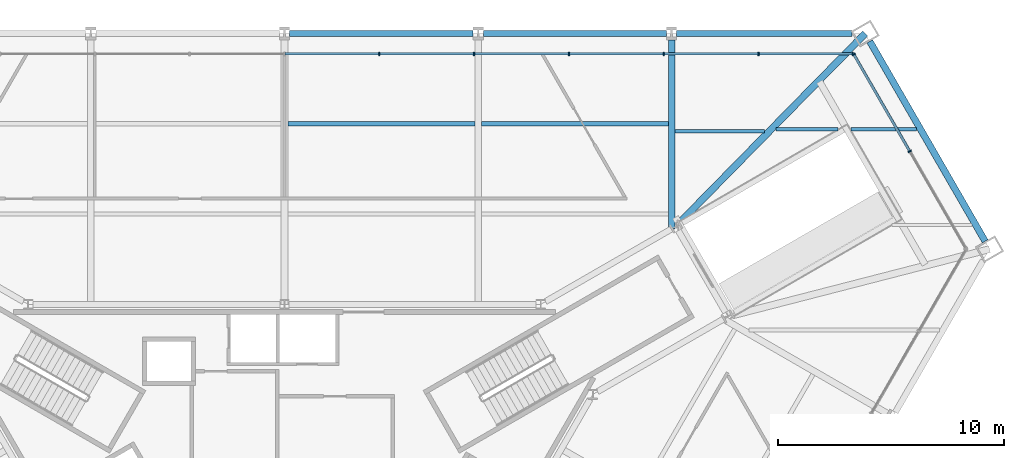
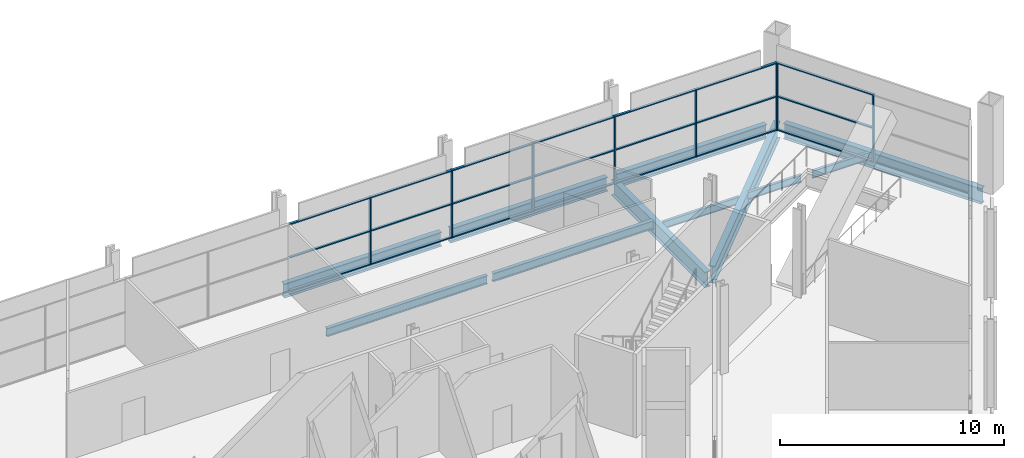
# One storey, part 10 of 18: 29 members, 11 beams, 2 elements without a shape of their own.
"""IFC4 building model written with IfcOpenShell, lengths in metres."""

from ifc_helpers import new_model, si_unit, direction, frame, origin, origin_2d, place, context, subcontext, project, spatial, rectangle, i_section, extrude, material, layer, layer_set, material_profile, profile_set, type_object, element, aggregate, save


model = new_model("IFC4")

# Units and contexts
model_context = context("Model", 3, precision=1e-05, world=origin(), true_north=direction((0.0, 1.0)))
body_context = subcontext(model_context, "Body", "Model", "MODEL_VIEW")
ifc_project = project(units=[si_unit("LENGTHUNIT", "METRE"), si_unit("AREAUNIT", "SQUARE_METRE"), si_unit("VOLUMEUNIT", "CUBIC_METRE"), si_unit("PLANEANGLEUNIT", "RADIAN"), si_unit("MASSUNIT", "GRAM", prefix="KILO")], contexts=[model_context])

# Site, building, storey
site_placement = place(None, origin())
site = spatial("IfcSite", under=ifc_project, at=site_placement, CompositionType="ELEMENT")
building_placement = place(site_placement, origin())
building = spatial("IfcBuilding", under=site, at=building_placement, Name="Verrane Prism Tower", CompositionType="ELEMENT")
storey_placement = place(building_placement, frame((0.0, 0.0, 22.39990234375)))
storey = spatial("IfcBuildingStorey", under=building, at=storey_placement, Name="L03", CompositionType="ELEMENT", Elevation=22.39990234375)

# Curtain wall, members
ifc_material_1 = material(Name="Aluminium and glass curtain wall", Category="aluminium")
ifc_layer = layer(ifc_material_1, 0.199951171875)
ifc_layer_set = layer_set([ifc_layer], Name="CWB-1 retail curtain wall")
curtain_wall_type = type_object("IfcCurtainWallType", Name="CWB-1 retail curtain wall", PredefinedType="NOTDEFINED", material=ifc_layer_set)
curtain_wall_1_placement = place(storey_placement, origin())
curtain_wall_1 = element("IfcCurtainWall", 1, at=curtain_wall_1_placement, inside=storey, type_object=curtain_wall_type, Name="Retail curtain wall L03 1", PredefinedType="NOTDEFINED")
ifc_material_2 = material(Name="Aluminium", Category="aluminium")
ifc_material_profile_1 = material_profile(ifc_material_2, rectangle(XDim=0.159912109375, YDim=0.06005859375, at=origin_2d()), Name="CWB-M 60x160 mullion")
ifc_profile_set_1 = profile_set([ifc_material_profile_1], Name="Aluminium")
member_type_1 = type_object("IfcMemberType", Name="CWB-M 60x160 mullion", PredefinedType="MULLION", material=ifc_profile_set_1)
member_1_placement = place(storey_placement, frame((27.63818359375, 15.956787109375, 0.0), z_axis=(0.0, 0.0, 1.0), x_axis=(-0.866025871, -0.499999190758, 0.0)))
member_1 = element("IfcMember", 2, at=member_1_placement, type_object=member_type_1, Name="CWB31 mullion 2", PredefinedType="MULLION", context=body_context, shape_type="SweptSolid", body=[
    extrude(rectangle(XDim=0.159912109375, YDim=0.06005859375, at=origin_2d()), origin(), (0.0, 0.0, 1.0), 3.690185546875),
])
member_2_placement = place(storey_placement, frame((25.162841796875, 20.244140625, 0.0), z_axis=(0.0, 0.0, 1.0), x_axis=(-0.866025871, -0.499999190758, 0.0)))
member_2 = element("IfcMember", 3, at=member_2_placement, type_object=member_type_1, Name="CWB31 mullion 3", PredefinedType="MULLION", context=body_context, shape_type="SweptSolid", body=[
    extrude(rectangle(XDim=0.159912109375, YDim=0.06005859375, at=origin_2d()), origin(), (0.0, 0.0, 1.0), 3.690185546875),
])

curtain_wall_2_placement = place(storey_placement, origin())
curtain_wall_2 = element("IfcCurtainWall", 4, at=curtain_wall_2_placement, inside=storey, type_object=curtain_wall_type, Name="Retail curtain wall L03 2", PredefinedType="NOTDEFINED")
member_3_placement = place(storey_placement, frame((25.117919921875, 20.27001953125, 0.0), z_axis=(0.0, 0.0, 1.0), x_axis=(0.0, -1.0, 0.0)))
member_3 = element("IfcMember", 5, at=member_3_placement, type_object=member_type_1, Name="CWB32 mullion 1", PredefinedType="MULLION", context=body_context, shape_type="SweptSolid", body=[
    extrude(rectangle(XDim=0.159912109375, YDim=0.06005859375, at=origin_2d()), origin(), (0.0, 0.0, 1.0), 3.690185546875),
])
member_4_placement = place(storey_placement, frame((20.95654296875, 20.27001953125, 0.0), z_axis=(0.0, 0.0, 1.0), x_axis=(0.0, -1.0, 0.0)))
member_4 = element("IfcMember", 6, at=member_4_placement, type_object=member_type_1, Name="CWB32 mullion 2", PredefinedType="MULLION", context=body_context, shape_type="SweptSolid", body=[
    extrude(rectangle(XDim=0.159912109375, YDim=0.06005859375, at=origin_2d()), origin(), (0.0, 0.0, 1.0), 3.690185546875),
])
member_5_placement = place(storey_placement, frame((16.76513671875, 20.27001953125, 0.0), z_axis=(0.0, 0.0, 1.0), x_axis=(0.0, -1.0, 0.0)))
member_5 = element("IfcMember", 7, at=member_5_placement, type_object=member_type_1, Name="CWB32 mullion 3", PredefinedType="MULLION", context=body_context, shape_type="SweptSolid", body=[
    extrude(rectangle(XDim=0.159912109375, YDim=0.06005859375, at=origin_2d()), origin(), (0.0, 0.0, 1.0), 3.690185546875),
])
member_6_placement = place(storey_placement, frame((12.573974609375, 20.27001953125, 0.0), z_axis=(0.0, 0.0, 1.0), x_axis=(0.0, -1.0, 0.0)))
member_6 = element("IfcMember", 8, at=member_6_placement, type_object=member_type_1, Name="CWB32 mullion 4", PredefinedType="MULLION", context=body_context, shape_type="SweptSolid", body=[
    extrude(rectangle(XDim=0.159912109375, YDim=0.06005859375, at=origin_2d()), origin(), (0.0, 0.0, 1.0), 3.690185546875),
])
member_7_placement = place(storey_placement, frame((8.382568359375, 20.27001953125, 0.0), z_axis=(0.0, 0.0, 1.0), x_axis=(0.0, -1.0, 0.0)))
member_7 = element("IfcMember", 9, at=member_7_placement, type_object=member_type_1, Name="CWB32 mullion 5", PredefinedType="MULLION", context=body_context, shape_type="SweptSolid", body=[
    extrude(rectangle(XDim=0.159912109375, YDim=0.06005859375, at=origin_2d()), origin(), (0.0, 0.0, 1.0), 3.690185546875),
])
member_8_placement = place(storey_placement, frame((4.19140625, 20.27001953125, 0.0), z_axis=(0.0, 0.0, 1.0), x_axis=(0.0, -1.0, 0.0)))
member_8 = element("IfcMember", 10, at=member_8_placement, type_object=member_type_1, Name="CWB32 mullion 6", PredefinedType="MULLION", context=body_context, shape_type="SweptSolid", body=[
    extrude(rectangle(XDim=0.159912109375, YDim=0.06005859375, at=origin_2d()), origin(), (0.0, 0.0, 1.0), 3.690185546875),
])

# Member
ifc_material_3 = material(Name="Aluminium", Category="aluminium")
ifc_material_profile_2 = material_profile(ifc_material_3, rectangle(XDim=0.1201171875, YDim=0.06005859375, at=origin_2d()), Name="CWB-T 60x120 transom")
ifc_profile_set_2 = profile_set([ifc_material_profile_2], Name="Aluminium")
member_type_2 = type_object("IfcMemberType", Name="CWB-T 60x120 transom", PredefinedType="USERDEFINED", material=ifc_profile_set_2)
member_9_placement = place(storey_placement, frame((27.623046875, 15.98291015625, 0.030029296875), z_axis=(-0.499988949793, 0.86603178353, 0.0), x_axis=(-0.86603178353, -0.499988949793, 0.0)))
member_9 = element("IfcMember", 11, at=member_9_placement, type_object=member_type_2, Name="CWB31 transom 2.1", ObjectType="TRANSOM", PredefinedType="USERDEFINED", context=body_context, shape_type="SweptSolid", body=[
    extrude(rectangle(XDim=0.1201171875, YDim=0.06005859375, at=origin_2d()), origin(), (0.0, 0.0, 1.0), 4.89013671875),
])

member_10_placement = place(storey_placement, frame((27.623046875, 15.98291015625, 1.84521484375), z_axis=(-0.499988949793, 0.86603178353, 0.0), x_axis=(-0.86603178353, -0.499988949793, 0.0)))
member_10 = element("IfcMember", 12, at=member_10_placement, type_object=member_type_2, Name="CWB31 transom 2.2", ObjectType="TRANSOM", PredefinedType="USERDEFINED", context=body_context, shape_type="SweptSolid", body=[
    extrude(rectangle(XDim=0.1201171875, YDim=0.06005859375, at=origin_2d()), origin(), (0.0, 0.0, 1.0), 4.89013671875),
])

member_11_placement = place(storey_placement, frame((27.623046875, 15.98291015625, 3.66015625), z_axis=(-0.499988949793, 0.86603178353, 0.0), x_axis=(-0.86603178353, -0.499988949793, 0.0)))
member_11 = element("IfcMember", 13, at=member_11_placement, type_object=member_type_2, Name="CWB31 transom 2.3", ObjectType="TRANSOM", PredefinedType="USERDEFINED", context=body_context, shape_type="SweptSolid", body=[
    extrude(rectangle(XDim=0.1201171875, YDim=0.06005859375, at=origin_2d()), origin(), (0.0, 0.0, 1.0), 4.89013671875),
])

aggregate(curtain_wall_1, [member_1, member_2, member_9, member_10, member_11])

member_12_placement = place(storey_placement, frame((25.087890625, 20.27001953125, 0.030029296875), z_axis=(-1.0, 0.0, 0.0), x_axis=(0.0, -1.0, 0.0)))
member_12 = element("IfcMember", 14, at=member_12_placement, type_object=member_type_2, Name="CWB32 transom 1.1", ObjectType="TRANSOM", PredefinedType="USERDEFINED", context=body_context, shape_type="SweptSolid", body=[
    extrude(rectangle(XDim=0.1201171875, YDim=0.06005859375, at=origin_2d()), origin(), (0.0, 0.0, 1.0), 4.101318359375),
])

member_13_placement = place(storey_placement, frame((25.087890625, 20.27001953125, 1.84521484375), z_axis=(-1.0, 0.0, 0.0), x_axis=(0.0, -1.0, 0.0)))
member_13 = element("IfcMember", 15, at=member_13_placement, type_object=member_type_2, Name="CWB32 transom 1.2", ObjectType="TRANSOM", PredefinedType="USERDEFINED", context=body_context, shape_type="SweptSolid", body=[
    extrude(rectangle(XDim=0.1201171875, YDim=0.06005859375, at=origin_2d()), origin(), (0.0, 0.0, 1.0), 4.101318359375),
])

member_14_placement = place(storey_placement, frame((25.087890625, 20.27001953125, 3.66015625), z_axis=(-1.0, 0.0, 0.0), x_axis=(0.0, -1.0, 0.0)))
member_14 = element("IfcMember", 16, at=member_14_placement, type_object=member_type_2, Name="CWB32 transom 1.3", ObjectType="TRANSOM", PredefinedType="USERDEFINED", context=body_context, shape_type="SweptSolid", body=[
    extrude(rectangle(XDim=0.1201171875, YDim=0.06005859375, at=origin_2d()), origin(), (0.0, 0.0, 1.0), 4.101318359375),
])

member_15_placement = place(storey_placement, frame((20.926513671875, 20.27001953125, 0.030029296875), z_axis=(-1.0, 0.0, 0.0), x_axis=(0.0, -1.0, 0.0)))
member_15 = element("IfcMember", 17, at=member_15_placement, type_object=member_type_2, Name="CWB32 transom 2.1", ObjectType="TRANSOM", PredefinedType="USERDEFINED", context=body_context, shape_type="SweptSolid", body=[
    extrude(rectangle(XDim=0.1201171875, YDim=0.06005859375, at=origin_2d()), origin(), (0.0, 0.0, 1.0), 4.13134765625),
])

member_16_placement = place(storey_placement, frame((20.926513671875, 20.27001953125, 1.84521484375), z_axis=(-1.0, 0.0, 0.0), x_axis=(0.0, -1.0, 0.0)))
member_16 = element("IfcMember", 18, at=member_16_placement, type_object=member_type_2, Name="CWB32 transom 2.2", ObjectType="TRANSOM", PredefinedType="USERDEFINED", context=body_context, shape_type="SweptSolid", body=[
    extrude(rectangle(XDim=0.1201171875, YDim=0.06005859375, at=origin_2d()), origin(), (0.0, 0.0, 1.0), 4.13134765625),
])

member_17_placement = place(storey_placement, frame((20.926513671875, 20.27001953125, 3.66015625), z_axis=(-1.0, 0.0, 0.0), x_axis=(0.0, -1.0, 0.0)))
member_17 = element("IfcMember", 19, at=member_17_placement, type_object=member_type_2, Name="CWB32 transom 2.3", ObjectType="TRANSOM", PredefinedType="USERDEFINED", context=body_context, shape_type="SweptSolid", body=[
    extrude(rectangle(XDim=0.1201171875, YDim=0.06005859375, at=origin_2d()), origin(), (0.0, 0.0, 1.0), 4.13134765625),
])

member_18_placement = place(storey_placement, frame((16.7353515625, 20.27001953125, 0.030029296875), z_axis=(-1.0, 0.0, 0.0), x_axis=(0.0, -1.0, 0.0)))
member_18 = element("IfcMember", 20, at=member_18_placement, type_object=member_type_2, Name="CWB32 transom 3.1", ObjectType="TRANSOM", PredefinedType="USERDEFINED", context=body_context, shape_type="SweptSolid", body=[
    extrude(rectangle(XDim=0.1201171875, YDim=0.06005859375, at=origin_2d()), origin(), (0.0, 0.0, 1.0), 4.13134765625),
])

member_19_placement = place(storey_placement, frame((16.7353515625, 20.27001953125, 1.84521484375), z_axis=(-1.0, 0.0, 0.0), x_axis=(0.0, -1.0, 0.0)))
member_19 = element("IfcMember", 21, at=member_19_placement, type_object=member_type_2, Name="CWB32 transom 3.2", ObjectType="TRANSOM", PredefinedType="USERDEFINED", context=body_context, shape_type="SweptSolid", body=[
    extrude(rectangle(XDim=0.1201171875, YDim=0.06005859375, at=origin_2d()), origin(), (0.0, 0.0, 1.0), 4.13134765625),
])

member_20_placement = place(storey_placement, frame((16.7353515625, 20.27001953125, 3.66015625), z_axis=(-1.0, 0.0, 0.0), x_axis=(0.0, -1.0, 0.0)))
member_20 = element("IfcMember", 22, at=member_20_placement, type_object=member_type_2, Name="CWB32 transom 3.3", ObjectType="TRANSOM", PredefinedType="USERDEFINED", context=body_context, shape_type="SweptSolid", body=[
    extrude(rectangle(XDim=0.1201171875, YDim=0.06005859375, at=origin_2d()), origin(), (0.0, 0.0, 1.0), 4.13134765625),
])

member_21_placement = place(storey_placement, frame((12.5439453125, 20.27001953125, 0.030029296875), z_axis=(-1.0, 0.0, 0.0), x_axis=(0.0, -1.0, 0.0)))
member_21 = element("IfcMember", 23, at=member_21_placement, type_object=member_type_2, Name="CWB32 transom 4.1", ObjectType="TRANSOM", PredefinedType="USERDEFINED", context=body_context, shape_type="SweptSolid", body=[
    extrude(rectangle(XDim=0.1201171875, YDim=0.06005859375, at=origin_2d()), origin(), (0.0, 0.0, 1.0), 4.13134765625),
])

member_22_placement = place(storey_placement, frame((12.5439453125, 20.27001953125, 1.84521484375), z_axis=(-1.0, 0.0, 0.0), x_axis=(0.0, -1.0, 0.0)))
member_22 = element("IfcMember", 24, at=member_22_placement, type_object=member_type_2, Name="CWB32 transom 4.2", ObjectType="TRANSOM", PredefinedType="USERDEFINED", context=body_context, shape_type="SweptSolid", body=[
    extrude(rectangle(XDim=0.1201171875, YDim=0.06005859375, at=origin_2d()), origin(), (0.0, 0.0, 1.0), 4.13134765625),
])

member_23_placement = place(storey_placement, frame((12.5439453125, 20.27001953125, 3.66015625), z_axis=(-1.0, 0.0, 0.0), x_axis=(0.0, -1.0, 0.0)))
member_23 = element("IfcMember", 25, at=member_23_placement, type_object=member_type_2, Name="CWB32 transom 4.3", ObjectType="TRANSOM", PredefinedType="USERDEFINED", context=body_context, shape_type="SweptSolid", body=[
    extrude(rectangle(XDim=0.1201171875, YDim=0.06005859375, at=origin_2d()), origin(), (0.0, 0.0, 1.0), 4.13134765625),
])

member_24_placement = place(storey_placement, frame((8.3525390625, 20.27001953125, 0.030029296875), z_axis=(-1.0, 0.0, 0.0), x_axis=(0.0, -1.0, 0.0)))
member_24 = element("IfcMember", 26, at=member_24_placement, type_object=member_type_2, Name="CWB32 transom 5.1", ObjectType="TRANSOM", PredefinedType="USERDEFINED", context=body_context, shape_type="SweptSolid", body=[
    extrude(rectangle(XDim=0.1201171875, YDim=0.06005859375, at=origin_2d()), origin(), (0.0, 0.0, 1.0), 4.131103515625),
])

member_25_placement = place(storey_placement, frame((8.3525390625, 20.27001953125, 1.84521484375), z_axis=(-1.0, 0.0, 0.0), x_axis=(0.0, -1.0, 0.0)))
member_25 = element("IfcMember", 27, at=member_25_placement, type_object=member_type_2, Name="CWB32 transom 5.2", ObjectType="TRANSOM", PredefinedType="USERDEFINED", context=body_context, shape_type="SweptSolid", body=[
    extrude(rectangle(XDim=0.1201171875, YDim=0.06005859375, at=origin_2d()), origin(), (0.0, 0.0, 1.0), 4.131103515625),
])

member_26_placement = place(storey_placement, frame((8.3525390625, 20.27001953125, 3.66015625), z_axis=(-1.0, 0.0, 0.0), x_axis=(0.0, -1.0, 0.0)))
member_26 = element("IfcMember", 28, at=member_26_placement, type_object=member_type_2, Name="CWB32 transom 5.3", ObjectType="TRANSOM", PredefinedType="USERDEFINED", context=body_context, shape_type="SweptSolid", body=[
    extrude(rectangle(XDim=0.1201171875, YDim=0.06005859375, at=origin_2d()), origin(), (0.0, 0.0, 1.0), 4.131103515625),
])

member_27_placement = place(storey_placement, frame((4.161376953125, 20.27001953125, 0.030029296875), z_axis=(-1.0, 0.0, 0.0), x_axis=(0.0, -1.0, 0.0)))
member_27 = element("IfcMember", 29, at=member_27_placement, type_object=member_type_2, Name="CWB32 transom 6.1", ObjectType="TRANSOM", PredefinedType="USERDEFINED", context=body_context, shape_type="SweptSolid", body=[
    extrude(rectangle(XDim=0.1201171875, YDim=0.06005859375, at=origin_2d()), origin(), (0.0, 0.0, 1.0), 4.13134765625),
])

member_28_placement = place(storey_placement, frame((4.161376953125, 20.27001953125, 1.84521484375), z_axis=(-1.0, 0.0, 0.0), x_axis=(0.0, -1.0, 0.0)))
member_28 = element("IfcMember", 30, at=member_28_placement, type_object=member_type_2, Name="CWB32 transom 6.2", ObjectType="TRANSOM", PredefinedType="USERDEFINED", context=body_context, shape_type="SweptSolid", body=[
    extrude(rectangle(XDim=0.1201171875, YDim=0.06005859375, at=origin_2d()), origin(), (0.0, 0.0, 1.0), 4.13134765625),
])

member_29_placement = place(storey_placement, frame((4.161376953125, 20.27001953125, 3.66015625), z_axis=(-1.0, 0.0, 0.0), x_axis=(0.0, -1.0, 0.0)))
member_29 = element("IfcMember", 31, at=member_29_placement, type_object=member_type_2, Name="CWB32 transom 6.3", ObjectType="TRANSOM", PredefinedType="USERDEFINED", context=body_context, shape_type="SweptSolid", body=[
    extrude(rectangle(XDim=0.1201171875, YDim=0.06005859375, at=origin_2d()), origin(), (0.0, 0.0, 1.0), 4.13134765625),
])

aggregate(curtain_wall_2, [member_3, member_4, member_5, member_6, member_7, member_8, member_12, member_13, member_14, member_15, member_16, member_17, member_18, member_19, member_20, member_21, member_22, member_23, member_24, member_25, member_26, member_27, member_28, member_29])

# Beams
ifc_material_4 = material(Name="Steel A992", Category="steel")
ifc_material_profile_3 = material_profile(ifc_material_4, i_section(OverallWidth=0.2919921875, OverallDepth=0.845703125, WebThickness=0.015380859375, FlangeThickness=0.0244140625, FilletRadius=0.017822265625, at=origin_2d()), Name="W33x141")
ifc_profile_set_3 = profile_set([ifc_material_profile_3], Name="Steel A992")
beam_type_1 = type_object("IfcBeamType", Name="Chamfer spandrel beam W33x141", PredefinedType="SPANDREL", material=ifc_profile_set_3)
beam_1_placement = place(storey_placement, frame((30.97021484375, 11.986328125, -0.582763671875), z_axis=(-0.49986813558, 0.866101522359, 0.0), x_axis=(-0.866101522359, -0.49986813558, 0.0)))
element("IfcBeam", 32, at=beam_1_placement, inside=storey, type_object=beam_type_1, Name="Chamfer spandrel beam L03", PredefinedType="SPANDREL", context=body_context, shape_type="SweptSolid", body=[
    extrude(i_section(OverallWidth=0.2919921875, OverallDepth=0.845703125, WebThickness=0.015380859375, FlangeThickness=0.0244140625, FilletRadius=0.017822265625, at=origin_2d()), origin(), (0.0, 0.0, 1.0), 10.203369140625),
])
ifc_material_5 = material(Name="Steel A992", Category="steel")
ifc_material_profile_4 = material_profile(ifc_material_5, i_section(OverallWidth=0.307373046875, OverallDepth=0.927001953125, WebThickness=0.01953125, FlangeThickness=0.031982421875, FilletRadius=0.01904296875, at=origin_2d()), Name="W36x194")
ifc_profile_set_4 = profile_set([ifc_material_profile_4], Name="Steel A992")
beam_type_2 = type_object("IfcBeamType", Name="Corner girder W36x194", PredefinedType="BEAM", material=ifc_profile_set_4)
beam_2_placement = place(storey_placement, frame((25.66845703125, 21.16845703125, -0.68359375), z_axis=(-0.700377975453, -0.713772156574, 0.0), x_axis=(0.713772156574, -0.700377975453, 0.0)))
element("IfcBeam", 33, at=beam_2_placement, inside=storey, type_object=beam_type_2, Name="Corner girder L03", PredefinedType="BEAM", context=body_context, shape_type="SweptSolid", body=[
    extrude(i_section(OverallWidth=0.307373046875, OverallDepth=0.927001953125, WebThickness=0.01953125, FlangeThickness=0.031982421875, FilletRadius=0.01904296875, at=origin_2d()), origin(), (0.0, 0.0, 1.0), 11.701904296875),
])
ifc_material_6 = material(Name="Steel A992", Category="steel")
ifc_material_profile_5 = material_profile(ifc_material_6, i_section(OverallWidth=0.140380859375, OverallDepth=0.40380859375, WebThickness=0.007080078125, FlangeThickness=0.01123046875, FilletRadius=0.01025390625, at=origin_2d()), Name="W16x31")
ifc_profile_set_5 = profile_set([ifc_material_profile_5], Name="Steel A992")
beam_type_3 = type_object("IfcBeamType", Name="Floor beam W16x31", PredefinedType="BEAM", material=ifc_profile_set_5)
beam_3_placement = place(storey_placement, frame((17.256103515625, 16.85009765625, -0.36181640625), z_axis=(1.0, 0.0, 0.0), x_axis=(0.0, 1.0, 0.0)))
element("IfcBeam", 34, at=beam_3_placement, inside=storey, type_object=beam_type_3, Name="Floor beam L03", PredefinedType="BEAM", context=body_context, shape_type="SweptSolid", body=[
    extrude(i_section(OverallWidth=0.140380859375, OverallDepth=0.40380859375, WebThickness=0.007080078125, FlangeThickness=0.01123046875, FilletRadius=0.01025390625, at=origin_2d()), origin(), (0.0, 0.0, 1.0), 3.961181640625),
])
beam_4_placement = place(storey_placement, frame((21.730712890625, 16.93505859375, -0.36181640625), z_axis=(1.0, 0.0, 0.0), x_axis=(0.0, 1.0, 0.0)))
element("IfcBeam", 35, at=beam_4_placement, inside=storey, type_object=beam_type_3, Name="Floor beam L03", PredefinedType="BEAM", context=body_context, shape_type="SweptSolid", body=[
    extrude(i_section(OverallWidth=0.140380859375, OverallDepth=0.40380859375, WebThickness=0.007080078125, FlangeThickness=0.01123046875, FilletRadius=0.01025390625, at=origin_2d()), origin(), (0.0, 0.0, 1.0), 2.73681640625),
])
beam_5_placement = place(storey_placement, frame((25.030517578125, 16.93505859375, -0.36181640625), z_axis=(1.0, 0.0, 0.0), x_axis=(0.0, 1.0, 0.0)))
element("IfcBeam", 36, at=beam_5_placement, inside=storey, type_object=beam_type_3, Name="Floor beam L03", PredefinedType="BEAM", context=body_context, shape_type="SweptSolid", body=[
    extrude(i_section(OverallWidth=0.140380859375, OverallDepth=0.40380859375, WebThickness=0.007080078125, FlangeThickness=0.01123046875, FilletRadius=0.01025390625, at=origin_2d()), origin(), (0.0, 0.0, 1.0), 2.9150390625),
])
ifc_material_7 = material(Name="Steel A992", Category="steel")
ifc_material_profile_6 = material_profile(ifc_material_7, i_section(OverallWidth=0.1904296875, OverallDepth=0.457275390625, WebThickness=0.009033203125, FlangeThickness=0.014404296875, FilletRadius=0.01025390625, at=origin_2d()), Name="W18x50")
ifc_profile_set_6 = profile_set([ifc_material_profile_6], Name="Steel A992")
beam_type_4 = type_object("IfcBeamType", Name="Floor beam W18x50", PredefinedType="BEAM", material=ifc_profile_set_6)
beam_6_placement = place(storey_placement, frame((8.7060546875, 17.179931640625, -0.388427734375), z_axis=(1.0, 0.0, 0.0), x_axis=(0.0, 1.0, 0.0)))
element("IfcBeam", 37, at=beam_6_placement, inside=storey, type_object=beam_type_4, Name="Floor beam L03", PredefinedType="BEAM", context=body_context, shape_type="SweptSolid", body=[
    extrude(i_section(OverallWidth=0.1904296875, OverallDepth=0.457275390625, WebThickness=0.009033203125, FlangeThickness=0.014404296875, FilletRadius=0.01025390625, at=origin_2d()), origin(), (0.0, 0.0, 1.0), 8.258056640625),
])
beam_7_placement = place(storey_placement, frame((0.14599609375, 17.179931640625, -0.388427734375), z_axis=(1.0, 0.0, 0.0), x_axis=(0.0, 1.0, 0.0)))
element("IfcBeam", 38, at=beam_7_placement, inside=storey, type_object=beam_type_4, Name="Floor beam L03", PredefinedType="BEAM", context=body_context, shape_type="SweptSolid", body=[
    extrude(i_section(OverallWidth=0.1904296875, OverallDepth=0.457275390625, WebThickness=0.009033203125, FlangeThickness=0.014404296875, FilletRadius=0.01025390625, at=origin_2d()), origin(), (0.0, 0.0, 1.0), 8.26806640625),
])
ifc_material_8 = material(Name="Steel A992", Category="steel")
ifc_material_profile_7 = material_profile(ifc_material_8, i_section(OverallWidth=0.2919921875, OverallDepth=0.845703125, WebThickness=0.015380859375, FlangeThickness=0.0244140625, FilletRadius=0.017822265625, at=origin_2d()), Name="W33x141")
ifc_profile_set_7 = profile_set([ifc_material_profile_7], Name="Steel A992")
beam_type_5 = type_object("IfcBeamType", Name="Radial girder W33x141", PredefinedType="BEAM", material=ifc_profile_set_7)
beam_8_placement = place(storey_placement, frame((17.110107421875, 20.885498046875, -0.642822265625), z_axis=(0.0, -1.0, 0.0), x_axis=(1.0, 0.0, 0.0)))
element("IfcBeam", 39, at=beam_8_placement, inside=storey, type_object=beam_type_5, Name="Radial girder L03", PredefinedType="BEAM", context=body_context, shape_type="SweptSolid", body=[
    extrude(i_section(OverallWidth=0.2919921875, OverallDepth=0.845703125, WebThickness=0.015380859375, FlangeThickness=0.0244140625, FilletRadius=0.017822265625, at=origin_2d()), origin(), (0.0, 0.0, 1.0), 8.35498046875),
])
ifc_material_9 = material(Name="Steel A992", Category="steel")
ifc_material_profile_8 = material_profile(ifc_material_9, i_section(OverallWidth=0.2666015625, OverallDepth=0.76708984375, WebThickness=0.014892578125, FlangeThickness=0.023681640625, FilletRadius=0.0166015625, at=origin_2d()), Name="W30x124")
ifc_profile_set_8 = profile_set([ifc_material_profile_8], Name="Steel A992")
beam_type_6 = type_object("IfcBeamType", Name="Spandrel beam W30x124", PredefinedType="SPANDREL", material=ifc_profile_set_8)
beam_9_placement = place(storey_placement, frame((25.092529296875, 21.169921875, -0.54345703125), z_axis=(-1.0, 0.0, 0.0), x_axis=(0.0, -1.0, 0.0)))
element("IfcBeam", 40, at=beam_9_placement, inside=storey, type_object=beam_type_6, Name="Spandrel beam L03", PredefinedType="SPANDREL", context=body_context, shape_type="SweptSolid", body=[
    extrude(i_section(OverallWidth=0.2666015625, OverallDepth=0.76708984375, WebThickness=0.014892578125, FlangeThickness=0.023681640625, FilletRadius=0.0166015625, at=origin_2d()), origin(), (0.0, 0.0, 1.0), 7.755126953125),
])
beam_10_placement = place(storey_placement, frame((16.8828125, 21.169921875, -0.54345703125), z_axis=(-1.0, 0.0, 0.0), x_axis=(0.0, -1.0, 0.0)))
element("IfcBeam", 41, at=beam_10_placement, inside=storey, type_object=beam_type_6, Name="Spandrel beam L03", PredefinedType="SPANDREL", context=body_context, shape_type="SweptSolid", body=[
    extrude(i_section(OverallWidth=0.2666015625, OverallDepth=0.76708984375, WebThickness=0.014892578125, FlangeThickness=0.023681640625, FilletRadius=0.0166015625, at=origin_2d()), origin(), (0.0, 0.0, 1.0), 8.095458984375),
])
beam_11_placement = place(storey_placement, frame((8.332763671875, 21.169921875, -0.54345703125), z_axis=(-1.0, 0.0, 0.0), x_axis=(0.0, -1.0, 0.0)))
element("IfcBeam", 42, at=beam_11_placement, inside=storey, type_object=beam_type_6, Name="Spandrel beam L03", PredefinedType="SPANDREL", context=body_context, shape_type="SweptSolid", body=[
    extrude(i_section(OverallWidth=0.2666015625, OverallDepth=0.76708984375, WebThickness=0.014892578125, FlangeThickness=0.023681640625, FilletRadius=0.0166015625, at=origin_2d()), origin(), (0.0, 0.0, 1.0), 8.10546875),
])

save(model, "model.ifc")
